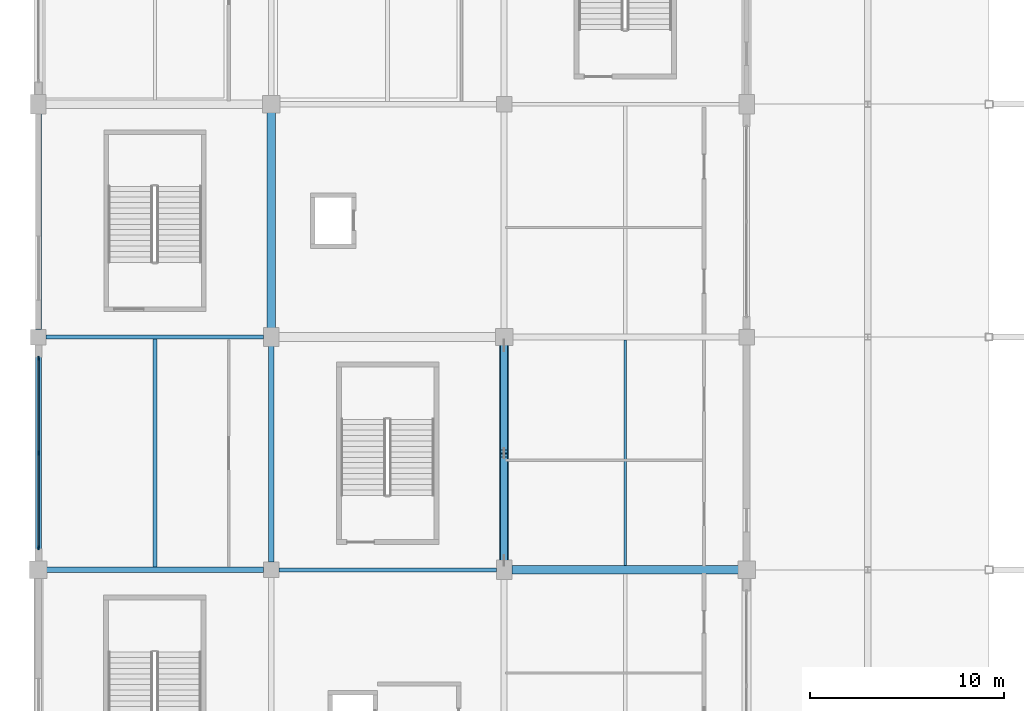
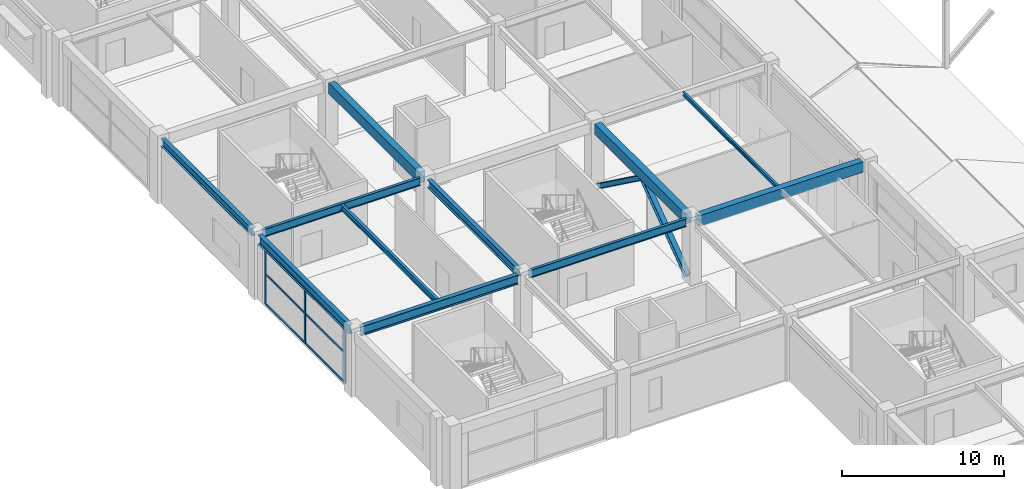
# One storey, part 14 of 116: 11 beams, 11 members, 1 element without a shape of its own.
"""IFC4 building model written with IfcOpenShell, lengths in metres."""

from ifc_helpers import new_model, si_unit, direction, frame, origin, origin_2d, place, context, subcontext, project, spatial, rectangle, i_section, extrude, material, layer, layer_set, material_profile, profile_set, type_object, element, aggregate, save


model = new_model("IFC4")

# Units and contexts
model_context = context("Model", 3, precision=1e-05, world=origin(), true_north=direction((0.0, 1.0)))
body_context = subcontext(model_context, "Body", "Model", "MODEL_VIEW")
ifc_project = project(units=[si_unit("LENGTHUNIT", "METRE"), si_unit("AREAUNIT", "SQUARE_METRE"), si_unit("VOLUMEUNIT", "CUBIC_METRE"), si_unit("PLANEANGLEUNIT", "RADIAN"), si_unit("MASSUNIT", "GRAM", prefix="KILO")], contexts=[model_context])

# Site, building, storey
site_placement = place(None, origin())
site = spatial("IfcSite", under=ifc_project, at=site_placement, CompositionType="ELEMENT")
building_placement = place(site_placement, origin())
building = spatial("IfcBuilding", under=site, at=building_placement, Name="Kazenohara Klinker Stadium", CompositionType="ELEMENT")
storey_placement = place(building_placement, frame((0.0, 0.0, 10.199951171875)))
storey = spatial("IfcBuildingStorey", under=building, at=storey_placement, Name="L02", CompositionType="ELEMENT", Elevation=10.199951171875)

# Beams
ifc_material_1 = material(Name="Steel S355", Category="steel")
ifc_material_profile_1 = material_profile(ifc_material_1, i_section(OverallWidth=0.199951171875, OverallDepth=0.39990234375, WebThickness=0.008056640625, FlangeThickness=0.012939453125, FilletRadius=0.012939453125, at=origin_2d()), Name="H-400x200x8x13")
ifc_profile_set_1 = profile_set([ifc_material_profile_1], Name="Steel S355")
beam_type_1 = type_object("IfcBeamType", Name="BM-JST03", PredefinedType="JOIST", material=ifc_profile_set_1)
beam_1_placement = place(storey_placement, frame((6.0, 48.14990234375, 4.6201171875), z_axis=(0.0, 1.0, 0.0), x_axis=(-1.0, 0.0, 0.0)))
element("IfcBeam", 1, at=beam_1_placement, inside=storey, type_object=beam_type_1, Name="Secondary floor joist SJ03 L02 1/E", PredefinedType="JOIST", context=body_context, shape_type="SweptSolid", body=[
    extrude(i_section(OverallWidth=0.199951171875, OverallDepth=0.39990234375, WebThickness=0.008056640625, FlangeThickness=0.012939453125, FilletRadius=0.012939453125, at=origin_2d()), origin(), (0.0, 0.0, 1.0), 11.75),
])
ifc_material_profile_2 = material_profile(ifc_material_1, i_section(OverallWidth=0.14990234375, OverallDepth=0.300048828125, WebThickness=0.006591796875, FlangeThickness=0.009033203125, FilletRadius=0.012939453125, at=origin_2d()), Name="H-300x150x6.5x9")
ifc_profile_set_2 = profile_set([ifc_material_profile_2], Name="Steel S355")
beam_type_2 = type_object("IfcBeamType", Name="BM-JST05", PredefinedType="JOIST", material=ifc_profile_set_2)
beam_2_placement = place(storey_placement, frame((30.25, 48.22509765625, 4.670166015625), z_axis=(0.0, 1.0, 0.0), x_axis=(-1.0, 0.0, 0.0)))
element("IfcBeam", 2, at=beam_2_placement, inside=storey, type_object=beam_type_2, Name="Secondary floor joist SJ05 L02 3/E", PredefinedType="JOIST", context=body_context, shape_type="SweptSolid", body=[
    extrude(i_section(OverallWidth=0.14990234375, OverallDepth=0.300048828125, WebThickness=0.006591796875, FlangeThickness=0.009033203125, FilletRadius=0.012939453125, at=origin_2d()), origin(), (0.0, 0.0, 1.0), 11.625),
])
ifc_material_2 = material(Name="Concrete C40/50", Category="concrete")
ifc_material_profile_3 = material_profile(ifc_material_2, rectangle(XDim=0.449951171875, YDim=0.800048828125, at=origin_2d()), Name="RC-BM-450x800")
ifc_profile_set_3 = profile_set([ifc_material_profile_3], Name="Concrete C40/50")
beam_type_3 = type_object("IfcBeamType", Name="BM-RC03", PredefinedType="BEAM", material=ifc_profile_set_3)
beam_3_placement = place(storey_placement, frame((24.39990234375, 48.0, 4.420166015625), z_axis=(1.0, 0.0, 0.0), x_axis=(0.0, 1.0, 0.0)))
element("IfcBeam", 3, at=beam_3_placement, inside=storey, type_object=beam_type_3, Name="Primary girder BG03 L02 3-4/E", PredefinedType="BEAM", context=body_context, shape_type="SweptSolid", body=[
    extrude(rectangle(XDim=0.449951171875, YDim=0.800048828125, at=origin_2d()), origin(), (0.0, 0.0, 1.0), 11.68017578125),
])
for number, where, z_axis, x_axis, name in (
    (4, (12.0, 60.419921875, 4.420166015625), (0.0, 1.0, 0.0), (-1.0, 0.0, 0.0), "Primary girder BG03 L02 2/F-G"),
    (5, (24.0, 48.419921875, 4.420166015625), (0.0, 1.0, 0.0), (-1.0, 0.0, 0.0), "Primary girder BG03 L02 3/E-F"),
):
    element("IfcBeam", number, at=place(storey_placement, frame(where, z_axis=z_axis, x_axis=x_axis)), inside=storey, type_object=beam_type_3, Name=name, PredefinedType="BEAM", context=body_context, shape_type="SweptSolid", body=[
        extrude(rectangle(XDim=0.449951171875, YDim=0.800048828125, at=origin_2d()), origin(), (0.0, 0.0, 1.0), 11.16015625),
    ])
ifc_material_profile_4 = material_profile(ifc_material_1, i_section(OverallWidth=0.300048828125, OverallDepth=0.699951171875, WebThickness=0.012939453125, FlangeThickness=0.02392578125, FilletRadius=0.02197265625, at=origin_2d()), Name="H-700x300x13x24")
ifc_profile_set_4 = profile_set([ifc_material_profile_4], Name="Steel S355")
beam_type_4 = type_object("IfcBeamType", Name="BM-ST03", PredefinedType="BEAM", material=ifc_profile_set_4)
for number, where, z_axis, x_axis, name in (
    (6, (0.419921875, 48.0, 4.469970703125), (1.0, 0.0, 0.0), (0.0, 1.0, 0.0), "Primary girder SB03 L02 1-2/E"),
    (7, (0.0, 48.419921875, 4.469970703125), (0.0, 1.0, 0.0), (-1.0, 0.0, 0.0), "Primary girder SB03 L02 1/E-F"),
):
    element("IfcBeam", number, at=place(storey_placement, frame(where, z_axis=z_axis, x_axis=x_axis)), inside=storey, type_object=beam_type_4, Name=name, PredefinedType="BEAM", context=body_context, shape_type="SweptSolid", body=[
        extrude(i_section(OverallWidth=0.300048828125, OverallDepth=0.699951171875, WebThickness=0.012939453125, FlangeThickness=0.02392578125, FilletRadius=0.02197265625, at=origin_2d()), origin(), (0.0, 0.0, 1.0), 11.18017578125),
    ])
ifc_material_profile_5 = material_profile(ifc_material_1, i_section(OverallWidth=0.199951171875, OverallDepth=0.60009765625, WebThickness=0.010986328125, FlangeThickness=0.01708984375, FilletRadius=0.012939453125, at=origin_2d()), Name="H-600x200x11x17")
ifc_profile_set_5 = profile_set([ifc_material_profile_5], Name="Steel S355")
beam_type_5 = type_object("IfcBeamType", Name="BM-ST04", PredefinedType="BEAM", material=ifc_profile_set_5)
for number, where, z_axis, x_axis, name in (
    (8, (0.39990234375, 60.0, 4.52001953125), (1.0, 0.0, 0.0), (0.0, 1.0, 0.0), "Primary girder SB04 L02 1-2/F"),
    (9, (12.39990234375, 48.0, 4.52001953125), (1.0, 0.0, 0.0), (0.0, 1.0, 0.0), "Primary girder SB04 L02 2-3/E"),
):
    element("IfcBeam", number, at=place(storey_placement, frame(where, z_axis=z_axis, x_axis=x_axis)), inside=storey, type_object=beam_type_5, Name=name, PredefinedType="BEAM", context=body_context, shape_type="SweptSolid", body=[
        extrude(i_section(OverallWidth=0.199951171875, OverallDepth=0.60009765625, WebThickness=0.010986328125, FlangeThickness=0.01708984375, FilletRadius=0.012939453125, at=origin_2d()), origin(), (0.0, 0.0, 1.0), 11.2001953125),
    ])
ifc_material_profile_6 = material_profile(ifc_material_1, i_section(OverallWidth=0.300048828125, OverallDepth=0.587890625, WebThickness=0.011962890625, FlangeThickness=0.02001953125, FilletRadius=0.02197265625, at=origin_2d()), Name="H-588x300x12x20")
ifc_profile_set_6 = profile_set([ifc_material_profile_6], Name="Steel S355")
beam_type_6 = type_object("IfcBeamType", Name="BM-ST05", PredefinedType="BEAM", material=ifc_profile_set_6)
for number, where, z_axis, x_axis, name in (
    (10, (0.0, 60.39990234375, 4.526123046875), (0.0, 1.0, 0.0), (-1.0, 0.0, 0.0), "Primary girder SB05 L02 1/F-G"),
    (11, (12.0, 48.39990234375, 4.526123046875), (0.0, 1.0, 0.0), (-1.0, 0.0, 0.0), "Primary girder SB05 L02 2/E-F"),
):
    element("IfcBeam", number, at=place(storey_placement, frame(where, z_axis=z_axis, x_axis=x_axis)), inside=storey, type_object=beam_type_6, Name=name, PredefinedType="BEAM", context=body_context, shape_type="SweptSolid", body=[
        extrude(i_section(OverallWidth=0.300048828125, OverallDepth=0.587890625, WebThickness=0.011962890625, FlangeThickness=0.02001953125, FilletRadius=0.02197265625, at=origin_2d()), origin(), (0.0, 0.0, 1.0), 11.18017578125),
    ])

# Curtain wall, members
ifc_material_3 = material(Name="Anodised aluminium and triple glazing", Category="aluminium")
ifc_layer = layer(ifc_material_3, 0.199951171875)
ifc_layer_set = layer_set([ifc_layer], Name="Anodised aluminium and triple glazing")
curtain_wall_type = type_object("IfcCurtainWallType", Name="CW-SYS-03", PredefinedType="USERDEFINED", material=ifc_layer_set)
curtain_wall_placement = place(storey_placement, origin())
curtain_wall = element("IfcCurtainWall", 12, at=curtain_wall_placement, inside=storey, type_object=curtain_wall_type, Name="Unitised facade curtain wall CW03 L02 Y0-4", ObjectType="UNITISED CURTAIN WALL", PredefinedType="USERDEFINED")
ifc_material_4 = material(Name="Anodised aluminium 6063-T6", Category="aluminium")
ifc_material_profile_7 = material_profile(ifc_material_4, rectangle(XDim=0.074951171875, YDim=0.219970703125, at=origin_2d()), Name="ALU-MUL-75x220")
ifc_profile_set_7 = profile_set([ifc_material_profile_7], Name="Anodised aluminium 6063-T6")
member_type_1 = type_object("IfcMemberType", Name="CW-MUL-220", PredefinedType="MULLION", material=ifc_profile_set_7)
member_1_placement = place(storey_placement, frame((0.0, 49.1416015625, 0.0), z_axis=(0.0, 0.0, 1.0), x_axis=(-1.0, 0.0, 0.0)))
member_1 = element("IfcMember", 13, at=member_1_placement, type_object=member_type_1, Name="CW03 mullion 1", PredefinedType="MULLION", context=body_context, shape_type="SweptSolid", body=[
    extrude(rectangle(XDim=0.074951171875, YDim=0.219970703125, at=origin_2d()), origin(), (0.0, 0.0, 1.0), 4.1201171875),
])
member_2_placement = place(storey_placement, frame((0.0, 54.02490234375, 0.0), z_axis=(0.0, 0.0, 1.0), x_axis=(-1.0, 0.0, 0.0)))
member_2 = element("IfcMember", 14, at=member_2_placement, type_object=member_type_1, Name="CW03 mullion 2", PredefinedType="MULLION", context=body_context, shape_type="SweptSolid", body=[
    extrude(rectangle(XDim=0.074951171875, YDim=0.219970703125, at=origin_2d()), origin(), (0.0, 0.0, 1.0), 4.1201171875),
])
member_3_placement = place(storey_placement, frame((0.0, 58.908447265625, 0.0), z_axis=(0.0, 0.0, 1.0), x_axis=(-1.0, 0.0, 0.0)))
member_3 = element("IfcMember", 15, at=member_3_placement, type_object=member_type_1, Name="CW03 mullion 3", PredefinedType="MULLION", context=body_context, shape_type="SweptSolid", body=[
    extrude(rectangle(XDim=0.074951171875, YDim=0.219970703125, at=origin_2d()), origin(), (0.0, 0.0, 1.0), 4.1201171875),
])
ifc_material_profile_8 = material_profile(ifc_material_4, rectangle(XDim=0.074951171875, YDim=0.159912109375, at=origin_2d()), Name="ALU-TRN-75x160")
ifc_profile_set_8 = profile_set([ifc_material_profile_8], Name="Anodised aluminium 6063-T6")
member_type_2 = type_object("IfcMemberType", Name="CW-TRN-160", PredefinedType="USERDEFINED", material=ifc_profile_set_8)
member_4_placement = place(storey_placement, frame((0.0, 49.178955078125, 0.03759765625), z_axis=(0.0, 1.0, 0.0), x_axis=(-1.0, 0.0, 0.0)))
member_4 = element("IfcMember", 16, at=member_4_placement, type_object=member_type_2, Name="CW03 transom 1.1", ObjectType="TRANSOM", PredefinedType="USERDEFINED", context=body_context, shape_type="SweptSolid", body=[
    extrude(rectangle(XDim=0.074951171875, YDim=0.159912109375, at=origin_2d()), origin(), (0.0, 0.0, 1.0), 4.80859375),
])
member_5_placement = place(storey_placement, frame((0.0, 49.178955078125, 2.26611328125), z_axis=(0.0, 1.0, 0.0), x_axis=(-1.0, 0.0, 0.0)))
member_5 = element("IfcMember", 17, at=member_5_placement, type_object=member_type_2, Name="CW03 transom 1.2", ObjectType="TRANSOM", PredefinedType="USERDEFINED", context=body_context, shape_type="SweptSolid", body=[
    extrude(rectangle(XDim=0.074951171875, YDim=0.159912109375, at=origin_2d()), origin(), (0.0, 0.0, 1.0), 4.80859375),
])
member_6_placement = place(storey_placement, frame((0.0, 49.178955078125, 4.08251953125), z_axis=(0.0, 1.0, 0.0), x_axis=(-1.0, 0.0, 0.0)))
member_6 = element("IfcMember", 18, at=member_6_placement, type_object=member_type_2, Name="CW03 transom 1.3", ObjectType="TRANSOM", PredefinedType="USERDEFINED", context=body_context, shape_type="SweptSolid", body=[
    extrude(rectangle(XDim=0.074951171875, YDim=0.159912109375, at=origin_2d()), origin(), (0.0, 0.0, 1.0), 4.80859375),
])
member_7_placement = place(storey_placement, frame((0.0, 54.0625, 0.03759765625), z_axis=(0.0, 1.0, 0.0), x_axis=(-1.0, 0.0, 0.0)))
member_7 = element("IfcMember", 19, at=member_7_placement, type_object=member_type_2, Name="CW03 transom 2.1", ObjectType="TRANSOM", PredefinedType="USERDEFINED", context=body_context, shape_type="SweptSolid", body=[
    extrude(rectangle(XDim=0.074951171875, YDim=0.159912109375, at=origin_2d()), origin(), (0.0, 0.0, 1.0), 4.80859375),
])
member_8_placement = place(storey_placement, frame((0.0, 54.0625, 2.26611328125), z_axis=(0.0, 1.0, 0.0), x_axis=(-1.0, 0.0, 0.0)))
member_8 = element("IfcMember", 20, at=member_8_placement, type_object=member_type_2, Name="CW03 transom 2.2", ObjectType="TRANSOM", PredefinedType="USERDEFINED", context=body_context, shape_type="SweptSolid", body=[
    extrude(rectangle(XDim=0.074951171875, YDim=0.159912109375, at=origin_2d()), origin(), (0.0, 0.0, 1.0), 4.80859375),
])
member_9_placement = place(storey_placement, frame((0.0, 54.0625, 4.08251953125), z_axis=(0.0, 1.0, 0.0), x_axis=(-1.0, 0.0, 0.0)))
member_9 = element("IfcMember", 21, at=member_9_placement, type_object=member_type_2, Name="CW03 transom 2.3", ObjectType="TRANSOM", PredefinedType="USERDEFINED", context=body_context, shape_type="SweptSolid", body=[
    extrude(rectangle(XDim=0.074951171875, YDim=0.159912109375, at=origin_2d()), origin(), (0.0, 0.0, 1.0), 4.80859375),
])
aggregate(curtain_wall, [member_1, member_2, member_3, member_4, member_5, member_6, member_7, member_8, member_9])

# Members
ifc_material_profile_9 = material_profile(ifc_material_1, i_section(OverallWidth=0.35009765625, OverallDepth=0.35009765625, WebThickness=0.011962890625, FlangeThickness=0.01904296875, FilletRadius=0.012939453125, at=origin_2d()), Name="H-350x350x12x19")
ifc_profile_set_9 = profile_set([ifc_material_profile_9], Name="Steel S355")
member_type_3 = type_object("IfcMemberType", Name="MEM-BRC03", PredefinedType="BRACE", material=ifc_profile_set_9)
member_10_placement = place(storey_placement, frame((24.0, 48.47998046875, 0.050048828125), z_axis=(0.0, 0.806355521265, 0.591431123061), x_axis=(-1.0, 0.0, 0.0)))
element("IfcMember", 22, at=member_10_placement, inside=storey, type_object=member_type_3, Name="Concentric brace BR03 L02 3/E A", PredefinedType="BRACE", context=body_context, shape_type="SweptSolid", body=[
    extrude(i_section(OverallWidth=0.35009765625, OverallDepth=0.35009765625, WebThickness=0.011962890625, FlangeThickness=0.01904296875, FilletRadius=0.012939453125, at=origin_2d()), origin(), (0.0, 0.0, 1.0), 6.746337890625),
])
member_11_placement = place(storey_placement, frame((24.0, 59.570068359375, 0.050048828125), z_axis=(0.0, -0.808927379579, 0.587908576709), x_axis=(1.0, 0.0, 0.0)))
element("IfcMember", 23, at=member_11_placement, inside=storey, type_object=member_type_3, Name="Concentric brace BR03 L02 3/E B", PredefinedType="BRACE", context=body_context, shape_type="SweptSolid", body=[
    extrude(i_section(OverallWidth=0.35009765625, OverallDepth=0.35009765625, WebThickness=0.011962890625, FlangeThickness=0.01904296875, FilletRadius=0.012939453125, at=origin_2d()), origin(), (0.0, 0.0, 1.0), 6.786865234375),
])

save(model, "model.ifc")
